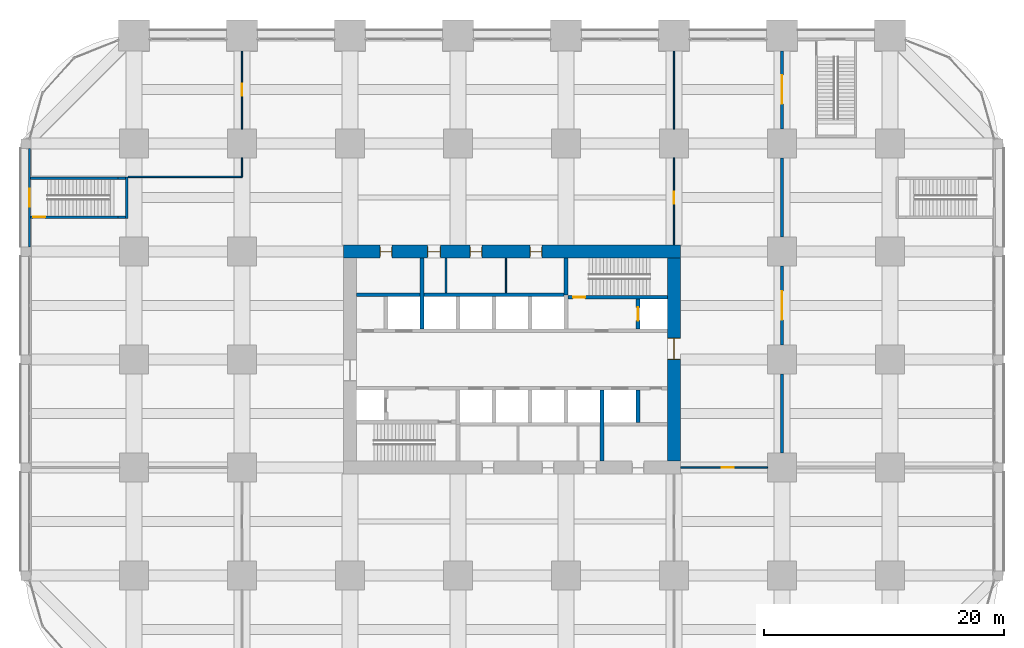
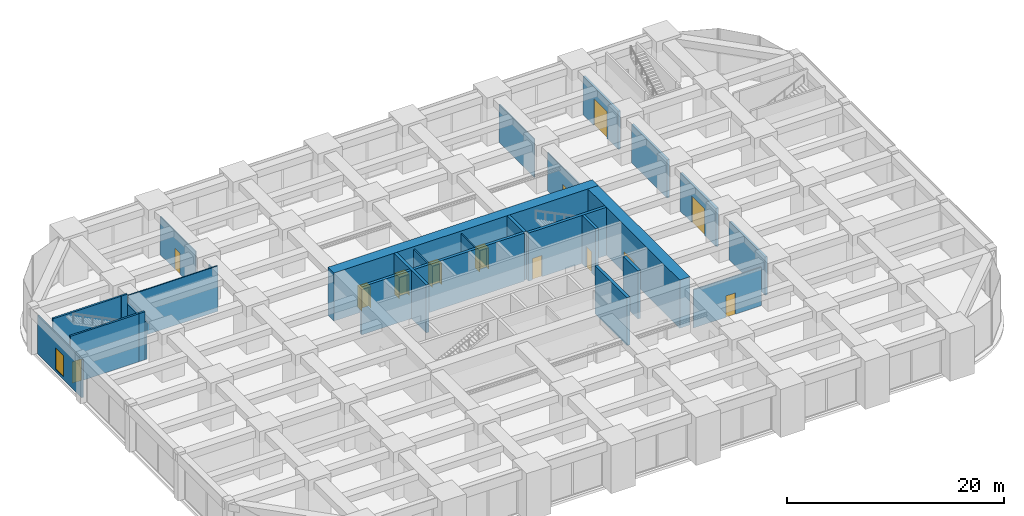
# One storey, part 43 of 45: 27 walls, 13 doors, 1 window, 14 openings.
"""IFC4 building model written with IfcOpenShell, lengths in metres."""

import ifcopenshell
import ifcopenshell.guid

model = None  # the IFC model being written
_history = None  # IfcOwnerHistory: only IFC2X3 demands one
_inside = {}  # id of a spatial element -> (the spatial element, [elements in it])
_under = {}  # id of a project, library or spatial element -> (it, [spatial elements below it])
_declared = {}  # id of a project -> (the project, [libraries it declares])
_typed = {}  # id of a type object -> (the type object, [elements of that type])
_made_of = {}  # id of a material, layer set ... -> (it, [elements and type objects made of it])


def new_model(schema):
    """Start an empty IFC model of exactly this schema.

    Asked for "IFC4X3", IfcOpenShell would pick the latest addendum, in which some entities
    have other attributes; the version numbers below select the first issue.
    IFC2X3 requires an IfcOwnerHistory on every rooted entity: one is made here for all.
    """
    global model, _history
    if schema == "IFC4X3":
        model = ifcopenshell.file(schema_version=(4, 3, 0, 0))
    else:
        model = ifcopenshell.file(schema=schema)
    _inside.clear()
    _under.clear()
    _declared.clear()
    _typed.clear()
    _made_of.clear()
    _history = None
    if model.schema == "IFC2X3":
        org = make("IfcOrganization", Name="unknown")
        user = make(
            "IfcPersonAndOrganization",
            ThePerson=make("IfcPerson", FamilyName="unknown"),
            TheOrganization=org,
        )
        app = make(
            "IfcApplication",
            ApplicationDeveloper=org,
            Version="unknown",
            ApplicationFullName="unknown",
            ApplicationIdentifier="unknown",
        )
        _history = make(
            "IfcOwnerHistory",
            OwningUser=user,
            OwningApplication=app,
            ChangeAction="ADDED",
            CreationDate=0,
        )
    return model


def make(cls, **values):
    """One entity of the class cls with the attributes given. An attribute that is None is left unset."""
    return model.create_entity(
        cls, **{name: value for name, value in values.items() if value is not None}
    )


def rooted(cls, **values):
    """An entity with a GlobalId (a new one), such as an element, a storey or a relation."""
    return make(cls, GlobalId=ifcopenshell.guid.new(), OwnerHistory=_history, **values)


def si_unit(unit_type, name, prefix=None):
    """IfcSIUnit, for example si_unit("LENGTHUNIT", "METRE", prefix="MILLI")."""
    return make("IfcSIUnit", UnitType=unit_type, Prefix=prefix, Name=name)


def assignment(units):
    """IfcUnitAssignment: the units of a project."""
    return None if units is None else make("IfcUnitAssignment", Units=units)


def point(xyz):
    """IfcCartesianPoint."""
    return None if xyz is None else make("IfcCartesianPoint", Coordinates=xyz)


def direction(xyz):
    """IfcDirection."""
    return None if xyz is None else make("IfcDirection", DirectionRatios=xyz)


def frame(location, z_axis=None, x_axis=None):
    """IfcAxis2Placement3D, a coordinate frame: its origin and axes. An axis left out is left unset."""
    return make(
        "IfcAxis2Placement3D",
        Location=point(location),
        Axis=direction(z_axis),
        RefDirection=direction(x_axis),
    )


def frame_2d(location, x_axis=None):
    """IfcAxis2Placement2D, a coordinate frame in the plane: its origin and x axis."""
    return make(
        "IfcAxis2Placement2D", Location=point(location), RefDirection=direction(x_axis)
    )


def origin():
    """The frame at (0, 0, 0) with its axes left unset."""
    return frame((0.0, 0.0, 0.0))


def place(relative_to, where):
    """IfcLocalPlacement: puts the frame where relative to a parent placement (None: the world)."""
    return make(
        "IfcLocalPlacement", PlacementRelTo=relative_to, RelativePlacement=where
    )


def context(
    kind, dimensions, precision=None, world=None, true_north=None, identifier=None
):
    """IfcGeometricRepresentationContext, for example the 3D "Model" context."""
    return make(
        "IfcGeometricRepresentationContext",
        ContextIdentifier=identifier,
        ContextType=kind,
        CoordinateSpaceDimension=dimensions,
        Precision=precision,
        WorldCoordinateSystem=world,
        TrueNorth=true_north,
    )


def subcontext(parent, identifier, kind, view, scale=None):
    """IfcGeometricRepresentationSubContext, for example "Body" below "Model"."""
    return make(
        "IfcGeometricRepresentationSubContext",
        ContextIdentifier=identifier,
        ContextType=kind,
        ParentContext=parent,
        TargetScale=scale,
        TargetView=view,
    )


def project(units=None, contexts=None):
    """IfcProject with its units and contexts."""
    return rooted(
        "IfcProject",
        Name="project",
        RepresentationContexts=contexts,
        UnitsInContext=assignment(units),
    )


def spatial(cls, under=None, at=None, **own):
    """A site, building, storey or space (cls), placed at a placement, below another one or the project."""
    s = rooted(cls, ObjectPlacement=at, **own)
    if under is not None:
        _under.setdefault(under.id(), (under, []))[1].append(s)
    return s


def profile(cls, at=None, kind="AREA", **sizes):
    """A parametric profile (cls). Its sizes go by their IFC names, for example OverallWidth=200.0."""
    return make(cls, ProfileType=kind, Position=at, **sizes)


def rectangle(**sizes):
    """IfcRectangleProfileDef."""
    return profile("IfcRectangleProfileDef", **sizes)


def extrude(swept, where, along, depth):
    """IfcExtrudedAreaSolid: the profile swept, set in the frame where, extruded along a direction by depth."""
    return make(
        "IfcExtrudedAreaSolid",
        SweptArea=swept,
        Position=where,
        ExtrudedDirection=direction(along),
        Depth=depth,
    )


def shape(context_of_items, identifier, shape_type, items):
    """IfcShapeRepresentation: the items that make up one representation, for example the "Body"."""
    return make(
        "IfcShapeRepresentation",
        ContextOfItems=context_of_items,
        RepresentationIdentifier=identifier,
        RepresentationType=shape_type,
        Items=items,
    )


def material(Name=None, Category=None):
    """IfcMaterial."""
    return make("IfcMaterial", Name=Name, Category=Category)


def layer(
    of_material, thickness, ventilated=None, Name=None, Category=None, Priority=None
):
    """IfcMaterialLayer: one layer of a wall or slab, of a material (None: an air gap)."""
    return make(
        "IfcMaterialLayer",
        Material=of_material,
        LayerThickness=thickness,
        IsVentilated=ventilated,
        Name=Name,
        Category=Category,
        Priority=Priority,
    )


def layer_set(layers, Name=None):
    """IfcMaterialLayerSet."""
    return make("IfcMaterialLayerSet", MaterialLayers=layers, LayerSetName=Name)


def made_of(thing, what):
    """Note that an element or type object is made of a material, layer set ...; save() writes the relation."""
    if what is not None:
        _made_of.setdefault(what.id(), (what, []))[1].append(thing)
    return thing


def type_object(cls, material=None, **own):
    """A type object (cls), such as IfcWallType, which elements share."""
    return made_of(rooted(cls, **own), material)


def element(
    cls,
    number,
    at=None,
    inside=None,
    cuts=None,
    type_object=None,
    material=None,
    context=None,
    identifier="Body",
    shape_type=None,
    held_by="IfcProductDefinitionShape",
    body=None,
    shapes=None,
    **own,
):
    """One element of the class cls, such as IfcWall. Its Tag is "e" and its number.

    at: its placement. inside: the storey or other place that contains it. cuts: it is an
    opening in that element (IfcRelVoidsElement). A single representation is given by context,
    identifier, shape_type and body (its items); several are given by shapes. held_by: the class
    of the entity that holds the representations. save() writes the other relations.
    """
    e = rooted(cls, Tag="e%d" % number, ObjectPlacement=at, **own)
    if body is not None:
        shapes = [shape(context, identifier, shape_type, body)]
    if shapes is not None:
        e.Representation = make(held_by, Representations=shapes)
    if inside is not None:
        _inside.setdefault(inside.id(), (inside, []))[1].append(e)
    if cuts is not None:
        rooted(
            "IfcRelVoidsElement", RelatingBuildingElement=cuts, RelatedOpeningElement=e
        )
    if type_object is not None:
        _typed.setdefault(type_object.id(), (type_object, []))[1].append(e)
    return made_of(e, material)


def fill(opening, filler):
    """IfcRelFillsElement: the door or window that sits in an opening."""
    return rooted(
        "IfcRelFillsElement",
        RelatingOpeningElement=opening,
        RelatedBuildingElement=filler,
    )


def aggregate(whole, parts):
    """IfcRelAggregates: a whole, such as a stair, and the parts it consists of."""
    return rooted("IfcRelAggregates", RelatingObject=whole, RelatedObjects=parts)


def save(model, path):
    """Write the relations noted so far, then the file.

    IfcRelAggregates (storeys below a building ...), IfcRelContainedInSpatialStructure (elements
    in a storey), IfcRelDefinesByType, IfcRelAssociatesMaterial and IfcRelDeclares: one each for
    every whole, place, type object, material and project.
    """
    for whole, parts in _under.values():
        aggregate(whole, parts)
    for where, things in _inside.values():
        rooted(
            "IfcRelContainedInSpatialStructure",
            RelatedElements=things,
            RelatingStructure=where,
        )
    for kind, things in _typed.values():
        rooted("IfcRelDefinesByType", RelatedObjects=things, RelatingType=kind)
    for what, things in _made_of.values():
        rooted("IfcRelAssociatesMaterial", RelatedObjects=things, RelatingMaterial=what)
    for by, libraries in _declared.values():
        rooted("IfcRelDeclares", RelatingContext=by, RelatedDefinitions=libraries)
    model.write(path)


model = new_model("IFC4")

# Units and contexts
model_context = context("Model", 3, precision=1e-05, world=origin(), true_north=direction((0.0, 1.0)))
body_context = subcontext(model_context, "Body", "Model", "MODEL_VIEW")
ifc_project = project(units=[si_unit("LENGTHUNIT", "METRE"), si_unit("AREAUNIT", "SQUARE_METRE"), si_unit("VOLUMEUNIT", "CUBIC_METRE"), si_unit("PLANEANGLEUNIT", "RADIAN"), si_unit("MASSUNIT", "GRAM", prefix="KILO")], contexts=[model_context])

# Site, building, storey
site_placement = place(None, origin())
site = spatial("IfcSite", under=ifc_project, at=site_placement, CompositionType="ELEMENT")
building_placement = place(site_placement, origin())
building = spatial("IfcBuilding", under=site, at=building_placement, Name="Zorevar Civic Tower", CompositionType="ELEMENT")
storey_placement = place(building_placement, frame((0.0, 0.0, 5.39990234375)))
storey = spatial("IfcBuildingStorey", under=building, at=storey_placement, Name="L01", CompositionType="ELEMENT", Elevation=5.39990234375)

# Wall
ifc_material_1 = material(Name="Twin-stud acoustic wall, gypsum board")
ifc_layer_1 = layer(ifc_material_1, 0.25)
ifc_layer_set_1 = layer_set([ifc_layer_1], Name="Acoustic wall 250")
wall_type_1 = type_object("IfcWallType", Name="Acoustic wall 250", PredefinedType="PARTITIONING", material=ifc_layer_set_1)
wall_1_placement = place(storey_placement, frame((54.0, 19.199951171875, 0.0), z_axis=(0.0, 0.0, 1.0), x_axis=(0.0, 1.0, 0.0)))
element("IfcWall", 1, at=wall_1_placement, inside=storey, type_object=wall_type_1, Name="Acoustic wall 250 L01", PredefinedType="PARTITIONING", context=body_context, shape_type="SweptSolid", body=[
    extrude(rectangle(XDim=6.60009765625, YDim=0.25, at=frame_2d((3.300048828125, 0.0))), origin(), (0.0, 0.0, 1.0), 4.300048828125),
])

# Wall, opening, door
wall_2_placement = place(storey_placement, frame((54.0, 28.199951171875, 0.0), z_axis=(0.0, 0.0, 1.0), x_axis=(0.0, 1.0, 0.0)))
wall_2 = element("IfcWall", 2, at=wall_2_placement, inside=storey, type_object=wall_type_1, Name="Acoustic wall 250 L01", PredefinedType="PARTITIONING", context=body_context, shape_type="SweptSolid", body=[
    extrude(rectangle(XDim=6.60009765625, YDim=0.25, at=frame_2d((3.300048828125, 0.0))), origin(), (0.0, 0.0, 1.0), 4.300048828125),
])
opening_1_placement = place(wall_2_placement, frame((2.10009765625, 0.0, 0.0)))
opening_1 = element("IfcOpeningElement", 3, at=opening_1_placement, cuts=wall_2, Name="Opening L01.17", PredefinedType="OPENING", context=body_context, shape_type="SweptSolid", body=[
    extrude(rectangle(XDim=2.39990234375, YDim=3.0, at=frame_2d((1.199951171875, 1.5))), frame((0.0, 0.135009765625, 0.0), z_axis=(0.0, -1.0, 0.0), x_axis=(1.0, 0.0, 0.0)), (0.0, 0.0, 1.0), 0.27001953125),
])
ifc_material_2 = material(Name="Timber door set", Category="wood")
door_type_1 = type_object("IfcDoorType", Name="Council chamber door D6 2400x3000", OperationType="DOUBLE_DOOR_DOUBLE_SWING", PredefinedType="DOOR", material=ifc_material_2)
door_1_placement = place(opening_1_placement, origin())
door_1 = element("IfcDoor", 4, at=door_1_placement, inside=storey, type_object=door_type_1, Name="Door L01 D1", OperationType="DOUBLE_DOOR_DOUBLE_SWING", OverallHeight=3.0, OverallWidth=2.39990234375, PredefinedType="DOOR", context=body_context, shape_type="SweptSolid", body=[
    extrude(rectangle(XDim=2.39990234375, YDim=3.0, at=frame_2d((1.199951171875, 1.5))), frame((0.0, 0.030029296875, 0.0), z_axis=(0.0, -1.0, 0.0), x_axis=(1.0, 0.0, 0.0)), (0.0, 0.0, 1.0), 0.06005859375),
])
fill(opening_1, door_1)

# Wall
wall_3_placement = place(storey_placement, frame((54.0, 37.199951171875, 0.0), z_axis=(0.0, 0.0, 1.0), x_axis=(0.0, 1.0, 0.0)))
element("IfcWall", 5, at=wall_3_placement, inside=storey, type_object=wall_type_1, Name="Acoustic wall 250 L01", PredefinedType="PARTITIONING", context=body_context, shape_type="SweptSolid", body=[
    extrude(rectangle(XDim=6.60009765625, YDim=0.25, at=frame_2d((3.300048828125, 0.0))), origin(), (0.0, 0.0, 1.0), 4.300048828125),
])

# Wall, opening, door
wall_4_placement = place(storey_placement, frame((54.0, 46.199951171875, 0.0), z_axis=(0.0, 0.0, 1.0), x_axis=(0.0, 1.0, 0.0)))
wall_4 = element("IfcWall", 6, at=wall_4_placement, inside=storey, type_object=wall_type_1, Name="Acoustic wall 250 L01", PredefinedType="PARTITIONING", context=body_context, shape_type="SweptSolid", body=[
    extrude(rectangle(XDim=6.5, YDim=0.25, at=frame_2d((3.25, 0.0))), origin(), (0.0, 0.0, 1.0), 4.300048828125),
])
opening_2_placement = place(wall_4_placement, frame((2.10009765625, 0.0, 0.0)))
opening_2 = element("IfcOpeningElement", 7, at=opening_2_placement, cuts=wall_4, Name="Opening L01.18", PredefinedType="OPENING", context=body_context, shape_type="SweptSolid", body=[
    extrude(rectangle(XDim=2.39990234375, YDim=3.0, at=frame_2d((1.199951171875, 1.5))), frame((0.0, 0.135009765625, 0.0), z_axis=(0.0, -1.0, 0.0), x_axis=(1.0, 0.0, 0.0)), (0.0, 0.0, 1.0), 0.27001953125),
])
door_2_placement = place(opening_2_placement, origin())
door_2 = element("IfcDoor", 8, at=door_2_placement, inside=storey, type_object=door_type_1, Name="Door L01 D2", OperationType="DOUBLE_DOOR_DOUBLE_SWING", OverallHeight=3.0, OverallWidth=2.39990234375, PredefinedType="DOOR", context=body_context, shape_type="SweptSolid", body=[
    extrude(rectangle(XDim=2.39990234375, YDim=3.0, at=frame_2d((1.199951171875, 1.5))), frame((0.0, 0.030029296875, 0.0), z_axis=(0.0, -1.0, 0.0), x_axis=(1.0, 0.0, 0.0)), (0.0, 0.0, 1.0), 0.06005859375),
])
fill(opening_2, door_2)

# Walls
ifc_material_3 = material(Name="Concrete blockwork", Category="masonry")
ifc_layer_2 = layer(ifc_material_3, 0.199951171875)
ifc_layer_set_2 = layer_set([ifc_layer_2], Name="Blockwork wall 200")
wall_type_2 = type_object("IfcWallType", Name="Blockwork wall 200", PredefinedType="SOLIDWALL", material=ifc_layer_set_2)
for number, where, z_axis, x_axis, name in (
    (9, (-1.35009765625, 38.875, 0.0), (0.0, 0.0, 1.0), (1.0, 0.0, 0.0), "Escape stair PS1 enclosure L01"),
    (10, (-1.35009765625, 42.125, 0.0), (0.0, 0.0, 1.0), (1.0, 0.0, 0.0), "Escape stair PS1 enclosure L01"),
):
    element("IfcWall", number, at=place(storey_placement, frame(where, z_axis=z_axis, x_axis=x_axis)), inside=storey, type_object=wall_type_2, Name=name, PredefinedType="SOLIDWALL", context=body_context, shape_type="SweptSolid", body=[
        extrude(rectangle(XDim=0.650146484375, YDim=0.199951171875, at=frame_2d((0.3251953125, 0.0))), origin(), (0.0, 0.0, 1.0), 5.400146484375),
    ])
wall_5_placement = place(storey_placement, frame((-0.60009765625, 38.77490234375, 0.0), z_axis=(0.0, 0.0, 1.0), x_axis=(0.0, 1.0, 0.0)))
element("IfcWall", 11, at=wall_5_placement, inside=storey, type_object=wall_type_2, Name="Escape stair PS1 enclosure L01", PredefinedType="SOLIDWALL", context=body_context, shape_type="SweptSolid", body=[
    extrude(rectangle(XDim=3.4501953125, YDim=0.199951171875, at=frame_2d((1.72509765625, 0.0))), origin(), (0.0, 0.0, 1.0), 4.300048828125),
])

# Wall, openings, doors
ifc_material_4 = material(Name="Concrete C50/60", Category="concrete")
ifc_layer_3 = layer(ifc_material_4, 1.10009765625)
ifc_layer_set_3 = layer_set([ifc_layer_3], Name="Core wall 1100")
wall_type_3 = type_object("IfcWallType", Name="Core wall 1100", PredefinedType="SHEAR", material=ifc_layer_set_3)
wall_6_placement = place(storey_placement, frame((45.550048828125, 36.0, 0.0), z_axis=(0.0, 0.0, 1.0), x_axis=(-1.0, 0.0, 0.0)))
wall_6 = element("IfcWall", 12, at=wall_6_placement, inside=storey, type_object=wall_type_3, Name="Core wall N L01", PredefinedType="SHEAR", context=body_context, shape_type="SweptSolid", body=[
    extrude(rectangle(XDim=28.10009765625, YDim=1.10009765625, at=frame_2d((14.050048828125, 0.0))), origin(), (0.0, 0.0, 1.0), 5.400146484375),
])
opening_3_placement = place(wall_6_placement, frame((11.550048828125, 0.0, 0.0)))
opening_3 = element("IfcOpeningElement", 13, at=opening_3_placement, cuts=wall_6, Name="Opening L01.07", PredefinedType="OPENING", context=body_context, shape_type="SweptSolid", body=[
    extrude(rectangle(XDim=1.0, YDim=2.39990234375, at=frame_2d((0.5, 1.199951171875))), frame((0.0, 0.56005859375, 0.0), z_axis=(0.0, -1.0, 0.0), x_axis=(1.0, 0.0, 0.0)), (0.0, 0.0, 1.0), 1.1201171875),
])
opening_4_placement = place(wall_6_placement, frame((16.550048828125, 0.0, 0.0)))
opening_4 = element("IfcOpeningElement", 14, at=opening_4_placement, cuts=wall_6, Name="Opening L01.08", PredefinedType="OPENING", context=body_context, shape_type="SweptSolid", body=[
    extrude(rectangle(XDim=1.0, YDim=2.39990234375, at=frame_2d((0.5, 1.199951171875))), frame((0.0, 0.56005859375, 0.0), z_axis=(0.0, -1.0, 0.0), x_axis=(1.0, 0.0, 0.0)), (0.0, 0.0, 1.0), 1.1201171875),
])
opening_5_placement = place(wall_6_placement, frame((20.0, 0.0, 0.0)))
opening_5 = element("IfcOpeningElement", 15, at=opening_5_placement, cuts=wall_6, Name="Opening L01.09", PredefinedType="OPENING", context=body_context, shape_type="SweptSolid", body=[
    extrude(rectangle(XDim=1.10009765625, YDim=2.39990234375, at=frame_2d((0.550048828125, 1.199951171875))), frame((0.0, 0.56005859375, 0.0), z_axis=(0.0, -1.0, 0.0), x_axis=(1.0, 0.0, 0.0)), (0.0, 0.0, 1.0), 1.1201171875),
])
opening_6_placement = place(wall_6_placement, frame((24.050048828125, 0.0, 0.0)))
opening_6 = element("IfcOpeningElement", 16, at=opening_6_placement, cuts=wall_6, Name="Opening L01.10", PredefinedType="OPENING", context=body_context, shape_type="SweptSolid", body=[
    extrude(rectangle(XDim=1.0, YDim=2.39990234375, at=frame_2d((0.5, 1.199951171875))), frame((0.0, 0.56005859375, 0.0), z_axis=(0.0, -1.0, 0.0), x_axis=(1.0, 0.0, 0.0)), (0.0, 0.0, 1.0), 1.1201171875),
])
ifc_material_5 = material(Name="Timber door set", Category="wood")
door_type_2 = type_object("IfcDoorType", Name="Door D1 1000x2400", OperationType="SINGLE_SWING_LEFT", PredefinedType="DOOR", material=ifc_material_5)
door_3_placement = place(opening_3_placement, origin())
door_3 = element("IfcDoor", 17, at=door_3_placement, inside=storey, type_object=door_type_2, Name="Door L01 06", OperationType="SINGLE_SWING_LEFT", OverallHeight=2.39990234375, OverallWidth=1.0, PredefinedType="DOOR", context=body_context, shape_type="SweptSolid", body=[
    extrude(rectangle(XDim=1.0, YDim=2.39990234375, at=frame_2d((0.5, 1.199951171875))), frame((0.0, 0.02490234375, 0.0), z_axis=(0.0, -1.0, 0.0), x_axis=(1.0, 0.0, 0.0)), (0.0, 0.0, 1.0), 0.050048828125),
    extrude(rectangle(XDim=0.04, YDim=2.39990234375, at=frame_2d((0.02001953125, 1.199951171875))), frame((0.0, 0.39990234375, 0.0), z_axis=(0.0, -1.0, 0.0), x_axis=(1.0, 0.0, 0.0)), (0.0, 0.0, 1.0), 0.800048828125),
    extrude(rectangle(XDim=0.04, YDim=2.39990234375, at=frame_2d((0.97998046875, 1.199951171875))), frame((0.0, 0.39990234375, 0.0), z_axis=(0.0, -1.0, 0.0), x_axis=(1.0, 0.0, 0.0)), (0.0, 0.0, 1.0), 0.800048828125),
    extrude(rectangle(XDim=1.0, YDim=0.04, at=frame_2d((0.5, 2.3798828125))), frame((0.0, 0.39990234375, 0.0), z_axis=(0.0, -1.0, 0.0), x_axis=(1.0, 0.0, 0.0)), (0.0, 0.0, 1.0), 0.800048828125),
])
fill(opening_3, door_3)
door_4_placement = place(opening_4_placement, origin())
door_4 = element("IfcDoor", 18, at=door_4_placement, inside=storey, type_object=door_type_2, Name="Door L01 07", OperationType="SINGLE_SWING_RIGHT", OverallHeight=2.39990234375, OverallWidth=1.0, PredefinedType="DOOR", context=body_context, shape_type="SweptSolid", body=[
    extrude(rectangle(XDim=1.0, YDim=2.39990234375, at=frame_2d((0.5, 1.199951171875))), frame((0.0, 0.02490234375, 0.0), z_axis=(0.0, -1.0, 0.0), x_axis=(1.0, 0.0, 0.0)), (0.0, 0.0, 1.0), 0.050048828125),
    extrude(rectangle(XDim=0.04, YDim=2.39990234375, at=frame_2d((0.02001953125, 1.199951171875))), frame((0.0, 0.39990234375, 0.0), z_axis=(0.0, -1.0, 0.0), x_axis=(1.0, 0.0, 0.0)), (0.0, 0.0, 1.0), 0.800048828125),
    extrude(rectangle(XDim=0.04, YDim=2.39990234375, at=frame_2d((0.97998046875, 1.199951171875))), frame((0.0, 0.39990234375, 0.0), z_axis=(0.0, -1.0, 0.0), x_axis=(1.0, 0.0, 0.0)), (0.0, 0.0, 1.0), 0.800048828125),
    extrude(rectangle(XDim=1.0, YDim=0.04, at=frame_2d((0.5, 2.3798828125))), frame((0.0, 0.39990234375, 0.0), z_axis=(0.0, -1.0, 0.0), x_axis=(1.0, 0.0, 0.0)), (0.0, 0.0, 1.0), 0.800048828125),
])
fill(opening_4, door_4)
door_5_placement = place(opening_6_placement, origin())
door_5 = element("IfcDoor", 19, at=door_5_placement, inside=storey, type_object=door_type_2, Name="Door L01 09", OperationType="SINGLE_SWING_RIGHT", OverallHeight=2.39990234375, OverallWidth=1.0, PredefinedType="DOOR", context=body_context, shape_type="SweptSolid", body=[
    extrude(rectangle(XDim=1.0, YDim=2.39990234375, at=frame_2d((0.5, 1.199951171875))), frame((0.0, 0.02490234375, 0.0), z_axis=(0.0, -1.0, 0.0), x_axis=(1.0, 0.0, 0.0)), (0.0, 0.0, 1.0), 0.050048828125),
    extrude(rectangle(XDim=0.04, YDim=2.39990234375, at=frame_2d((0.02001953125, 1.199951171875))), frame((0.0, 0.39990234375, 0.0), z_axis=(0.0, -1.0, 0.0), x_axis=(1.0, 0.0, 0.0)), (0.0, 0.0, 1.0), 0.800048828125),
    extrude(rectangle(XDim=0.04, YDim=2.39990234375, at=frame_2d((0.97998046875, 1.199951171875))), frame((0.0, 0.39990234375, 0.0), z_axis=(0.0, -1.0, 0.0), x_axis=(1.0, 0.0, 0.0)), (0.0, 0.0, 1.0), 0.800048828125),
    extrude(rectangle(XDim=1.0, YDim=0.04, at=frame_2d((0.5, 2.3798828125))), frame((0.0, 0.39990234375, 0.0), z_axis=(0.0, -1.0, 0.0), x_axis=(1.0, 0.0, 0.0)), (0.0, 0.0, 1.0), 0.800048828125),
])
fill(opening_6, door_5)
ifc_material_6 = material(Name="Timber door set", Category="wood")
door_type_3 = type_object("IfcDoorType", Name="Door D5 1100x2400", OperationType="SINGLE_SWING_LEFT", PredefinedType="DOOR", material=ifc_material_6)
door_6_placement = place(opening_5_placement, origin())
door_6 = element("IfcDoor", 20, at=door_6_placement, inside=storey, type_object=door_type_3, Name="Door L01 08", OperationType="SINGLE_SWING_RIGHT", OverallHeight=2.39990234375, OverallWidth=1.10009765625, PredefinedType="DOOR", context=body_context, shape_type="SweptSolid", body=[
    extrude(rectangle(XDim=1.10009765625, YDim=2.39990234375, at=frame_2d((0.550048828125, 1.199951171875))), frame((0.0, 0.02490234375, 0.0), z_axis=(0.0, -1.0, 0.0), x_axis=(1.0, 0.0, 0.0)), (0.0, 0.0, 1.0), 0.050048828125),
    extrude(rectangle(XDim=0.04, YDim=2.39990234375, at=frame_2d((0.02001953125, 1.199951171875))), frame((0.0, 0.43994140625, 0.0), z_axis=(0.0, -1.0, 0.0), x_axis=(1.0, 0.0, 0.0)), (0.0, 0.0, 1.0), 0.880126953125),
    extrude(rectangle(XDim=0.04, YDim=2.39990234375, at=frame_2d((1.080078125, 1.199951171875))), frame((0.0, 0.43994140625, 0.0), z_axis=(0.0, -1.0, 0.0), x_axis=(1.0, 0.0, 0.0)), (0.0, 0.0, 1.0), 0.880126953125),
    extrude(rectangle(XDim=1.10009765625, YDim=0.04, at=frame_2d((0.550048828125, 2.3798828125))), frame((0.0, 0.43994140625, 0.0), z_axis=(0.0, -1.0, 0.0), x_axis=(1.0, 0.0, 0.0)), (0.0, 0.0, 1.0), 0.880126953125),
])
fill(opening_5, door_6)

# Wall, opening, door
wall_7_placement = place(storey_placement, frame((45.0, 18.550048828125, 0.0), z_axis=(0.0, 0.0, 1.0), x_axis=(0.0, 1.0, 0.0)))
wall_7 = element("IfcWall", 21, at=wall_7_placement, inside=storey, type_object=wall_type_3, Name="Core wall E L01", PredefinedType="SHEAR", context=body_context, shape_type="SweptSolid", body=[
    extrude(rectangle(XDim=16.89990234375, YDim=1.10009765625, at=frame_2d((8.449951171875, 0.0))), origin(), (0.0, 0.0, 1.0), 5.400146484375),
])
opening_7_placement = place(wall_7_placement, frame((8.449951171875, 0.0, 0.0)))
opening_7 = element("IfcOpeningElement", 22, at=opening_7_placement, cuts=wall_7, Name="Opening L01.02", PredefinedType="OPENING", context=body_context, shape_type="SweptSolid", body=[
    extrude(rectangle(XDim=1.800048828125, YDim=2.39990234375, at=frame_2d((0.89990234375, 1.199951171875))), frame((0.0, 0.56005859375, 0.0), z_axis=(0.0, -1.0, 0.0), x_axis=(1.0, 0.0, 0.0)), (0.0, 0.0, 1.0), 1.1201171875),
])
ifc_material_7 = material(Name="Steel door set", Category="steel")
door_type_4 = type_object("IfcDoorType", Name="Fire door FD2 1800x2400", OperationType="DOUBLE_DOOR_DOUBLE_SWING", PredefinedType="DOOR", material=ifc_material_7)
door_7_placement = place(opening_7_placement, origin())
door_7 = element("IfcDoor", 23, at=door_7_placement, inside=storey, type_object=door_type_4, Name="Door L01 01", OperationType="DOUBLE_DOOR_DOUBLE_SWING", OverallHeight=2.39990234375, OverallWidth=1.800048828125, PredefinedType="DOOR", context=body_context, shape_type="SweptSolid", body=[
    extrude(rectangle(XDim=1.800048828125, YDim=2.39990234375, at=frame_2d((0.89990234375, 1.199951171875))), frame((0.0, 0.030029296875, 0.0), z_axis=(0.0, -1.0, 0.0), x_axis=(1.0, 0.0, 0.0)), (0.0, 0.0, 1.0), 0.06005859375),
    extrude(rectangle(XDim=0.04, YDim=2.39990234375, at=frame_2d((0.02001953125, 1.199951171875))), frame((0.0, 0.5498046875, 0.0), z_axis=(0.0, -1.0, 0.0), x_axis=(1.0, 0.0, 0.0)), (0.0, 0.0, 1.0), 1.099609375),
    extrude(rectangle(XDim=0.04, YDim=2.39990234375, at=frame_2d((1.780029296875, 1.199951171875))), frame((0.0, 0.5498046875, 0.0), z_axis=(0.0, -1.0, 0.0), x_axis=(1.0, 0.0, 0.0)), (0.0, 0.0, 1.0), 1.099609375),
    extrude(rectangle(XDim=1.800048828125, YDim=0.04, at=frame_2d((0.89990234375, 2.3798828125))), frame((0.0, 0.5498046875, 0.0), z_axis=(0.0, -1.0, 0.0), x_axis=(1.0, 0.0, 0.0)), (0.0, 0.0, 1.0), 1.099609375),
])
fill(opening_7, door_7)

ifc_material_8 = material(Name="Laminated glass in black aluminium frame", Category="aluminium")
ifc_layer_4 = layer(ifc_material_8, 0.10009765625)
ifc_layer_set_4 = layer_set([ifc_layer_4], Name="Glazed partition 100")
wall_type_4 = type_object("IfcWallType", Name="Glazed partition 100", PredefinedType="PARTITIONING", material=ifc_layer_set_4)
wall_8_placement = place(storey_placement, frame((45.0, 36.550048828125, 0.0), z_axis=(0.0, 0.0, 1.0), x_axis=(0.0, 1.0, 0.0)))
wall_8 = element("IfcWall", 24, at=wall_8_placement, inside=storey, type_object=wall_type_4, Name="Glazed partition 100 L01", PredefinedType="PARTITIONING", context=body_context, shape_type="SweptSolid", body=[
    extrude(rectangle(XDim=7.25, YDim=0.10009765625, at=frame_2d((3.625, 0.0))), origin(), (0.0, 0.0, 1.0), 4.300048828125),
])
opening_8_placement = place(wall_8_placement, frame((3.449951171875, 0.0, 0.0)))
opening_8 = element("IfcOpeningElement", 25, at=opening_8_placement, cuts=wall_8, Name="Opening L01.20", PredefinedType="OPENING", context=body_context, shape_type="SweptSolid", body=[
    extrude(rectangle(XDim=1.0, YDim=2.39990234375, at=frame_2d((0.5, 1.199951171875))), frame((0.0, 0.06005859375, 0.0), z_axis=(0.0, -1.0, 0.0), x_axis=(1.0, 0.0, 0.0)), (0.0, 0.0, 1.0), 0.1201171875),
])
ifc_material_9 = material(Name="Timber door set", Category="wood")
door_type_5 = type_object("IfcDoorType", Name="Glazed door GD1 1000x2400", OperationType="SINGLE_SWING_LEFT", PredefinedType="DOOR", material=ifc_material_9)
door_8_placement = place(opening_8_placement, origin())
door_8 = element("IfcDoor", 26, at=door_8_placement, inside=storey, type_object=door_type_5, Name="Door L01 D6", OperationType="SINGLE_SWING_LEFT", OverallHeight=2.39990234375, OverallWidth=1.0, PredefinedType="DOOR", context=body_context, shape_type="SweptSolid", body=[
    extrude(rectangle(XDim=1.0, YDim=2.39990234375, at=frame_2d((0.5, 1.199951171875))), frame((0.0, 0.02001953125, 0.0), z_axis=(0.0, -1.0, 0.0), x_axis=(1.0, 0.0, 0.0)), (0.0, 0.0, 1.0), 0.0400390625),
])
fill(opening_8, door_8)

# Wall
wall_9_placement = place(storey_placement, frame((45.0, 46.199951171875, 0.0), z_axis=(0.0, 0.0, 1.0), x_axis=(0.0, 1.0, 0.0)))
element("IfcWall", 27, at=wall_9_placement, inside=storey, type_object=wall_type_4, Name="Glazed partition 100 L01", PredefinedType="PARTITIONING", context=body_context, shape_type="SweptSolid", body=[
    extrude(rectangle(XDim=6.5, YDim=0.10009765625, at=frame_2d((3.25, 0.0))), origin(), (0.0, 0.0, 1.0), 4.300048828125),
])

# Wall, opening, door
ifc_material_10 = material(Name="Concrete C40/50", Category="concrete")
ifc_layer_5 = layer(ifc_material_10, 0.300048828125)
ifc_layer_set_5 = layer_set([ifc_layer_5], Name="Inner core wall 300")
wall_type_5 = type_object("IfcWallType", Name="Inner core wall 300", PredefinedType="SHEAR", material=ifc_layer_set_5)
wall_10_placement = place(storey_placement, frame((36.14990234375, 32.199951171875, 0.0), z_axis=(0.0, 0.0, 1.0), x_axis=(1.0, 0.0, 0.0)))
wall_10 = element("IfcWall", 28, at=wall_10_placement, inside=storey, type_object=wall_type_5, Name="Inner core wall N00 L01", PredefinedType="SHEAR", context=body_context, shape_type="SweptSolid", body=[
    extrude(rectangle(XDim=8.300048828125, YDim=0.300048828125, at=frame_2d((4.14990234375, 0.0))), origin(), (0.0, 0.0, 1.0), 5.400146484375),
])
opening_9_placement = place(wall_10_placement, frame((0.449951171875, 0.0, 0.0)))
opening_9 = element("IfcOpeningElement", 29, at=opening_9_placement, cuts=wall_10, Name="Opening L01.12", PredefinedType="OPENING", context=body_context, shape_type="SweptSolid", body=[
    extrude(rectangle(XDim=1.0, YDim=2.39990234375, at=frame_2d((0.5, 1.199951171875))), frame((0.0, 0.159912109375, 0.0), z_axis=(0.0, -1.0, 0.0), x_axis=(1.0, 0.0, 0.0)), (0.0, 0.0, 1.0), 0.320068359375),
])
ifc_material_11 = material(Name="Steel door set", Category="steel")
door_type_6 = type_object("IfcDoorType", Name="Fire door FD1 1000x2400", OperationType="SINGLE_SWING_LEFT", PredefinedType="DOOR", material=ifc_material_11)
door_9_placement = place(opening_9_placement, origin())
door_9 = element("IfcDoor", 30, at=door_9_placement, inside=storey, type_object=door_type_6, Name="Door L01 11", OperationType="SINGLE_SWING_RIGHT", OverallHeight=2.39990234375, OverallWidth=1.0, PredefinedType="DOOR", context=body_context, shape_type="SweptSolid", body=[
    extrude(rectangle(XDim=1.0, YDim=2.39990234375, at=frame_2d((0.5, 1.199951171875))), frame((0.0, 0.030029296875, 0.0), z_axis=(0.0, -1.0, 0.0), x_axis=(1.0, 0.0, 0.0)), (0.0, 0.0, 1.0), 0.06005859375),
])
fill(opening_9, door_9)

# Wall
wall_11_placement = place(storey_placement, frame((36.0, 32.39990234375, 0.0), z_axis=(0.0, 0.0, 1.0), x_axis=(0.0, 1.0, 0.0)))
element("IfcWall", 31, at=wall_11_placement, inside=storey, type_object=wall_type_5, Name="Inner core wall N01 L01", PredefinedType="SHEAR", context=body_context, shape_type="SweptSolid", body=[
    extrude(rectangle(XDim=3.050048828125, YDim=0.300048828125, at=frame_2d((1.52490234375, 0.0))), origin(), (0.0, 0.0, 1.0), 5.400146484375),
])

# Wall, opening, door
wall_12_placement = place(storey_placement, frame((42.0, 29.550048828125, 0.0), z_axis=(0.0, 0.0, 1.0), x_axis=(0.0, 1.0, 0.0)))
wall_12 = element("IfcWall", 32, at=wall_12_placement, inside=storey, type_object=wall_type_5, Name="Inner core wall N02 L01", PredefinedType="SHEAR", context=body_context, shape_type="SweptSolid", body=[
    extrude(rectangle(XDim=2.5, YDim=0.300048828125, at=frame_2d((1.25, 0.0))), origin(), (0.0, 0.0, 1.0), 5.400146484375),
])
opening_10_placement = place(wall_12_placement, frame((0.699951171875, 0.0, 0.0)))
opening_10 = element("IfcOpeningElement", 33, at=opening_10_placement, cuts=wall_12, Name="Opening L01.FL2", PredefinedType="OPENING", context=body_context, shape_type="SweptSolid", body=[
    extrude(rectangle(XDim=1.10009765625, YDim=2.39990234375, at=frame_2d((0.550048828125, 1.199951171875))), frame((0.0, 0.159912109375, 0.0), z_axis=(0.0, -1.0, 0.0), x_axis=(1.0, 0.0, 0.0)), (0.0, 0.0, 1.0), 0.320068359375),
])
ifc_material_12 = material(Name="Steel door set", Category="steel")
door_type_7 = type_object("IfcDoorType", Name="Firefighting lift landing door LD3 1100x2400", OperationType="DOUBLE_DOOR_SLIDING", PredefinedType="DOOR", material=ifc_material_12)
door_10_placement = place(opening_10_placement, origin())
door_10 = element("IfcDoor", 34, at=door_10_placement, inside=storey, type_object=door_type_7, Name="Landing door FL2 L01", OperationType="DOUBLE_DOOR_SLIDING", OverallHeight=2.39990234375, OverallWidth=1.10009765625, PredefinedType="DOOR", context=body_context, shape_type="SweptSolid", body=[
    extrude(rectangle(XDim=1.10009765625, YDim=2.39990234375, at=frame_2d((0.550048828125, 1.199951171875))), frame((0.0, 0.030029296875, 0.0), z_axis=(0.0, -1.0, 0.0), x_axis=(1.0, 0.0, 0.0)), (0.0, 0.0, 1.0), 0.06005859375),
])
fill(opening_10, door_10)

# Walls
wall_13_placement = place(storey_placement, frame((18.550048828125, 32.39990234375, 0.0), z_axis=(0.0, 0.0, 1.0), x_axis=(1.0, 0.0, 0.0)))
element("IfcWall", 35, at=wall_13_placement, inside=storey, type_object=wall_type_5, Name="Inner core wall N04 L01", PredefinedType="SHEAR", context=body_context, shape_type="SweptSolid", body=[
    extrude(rectangle(XDim=17.300048828125, YDim=0.300048828125, at=frame_2d((8.64990234375, 0.0))), origin(), (0.0, 0.0, 1.0), 5.400146484375),
])
for number, where, z_axis, x_axis, name in (
    (36, (39.0, 18.550048828125, 0.0), (0.0, 0.0, 1.0), (0.0, 1.0, 0.0), "Inner core wall S08 L01"),
    (37, (24.0, 29.550048828125, 0.0), (0.0, 0.0, 1.0), (0.0, 1.0, 0.0), "Inner core wall N08 L01"),
):
    element("IfcWall", number, at=place(storey_placement, frame(where, z_axis=z_axis, x_axis=x_axis)), inside=storey, type_object=wall_type_5, Name=name, PredefinedType="SHEAR", context=body_context, shape_type="SweptSolid", body=[
        extrude(rectangle(XDim=5.89990234375, YDim=0.300048828125, at=frame_2d((2.949951171875, 0.0))), origin(), (0.0, 0.0, 1.0), 5.400146484375),
    ])
wall_14_placement = place(storey_placement, frame((42.0, 21.75, 0.0), z_axis=(0.0, 0.0, 1.0), x_axis=(0.0, 1.0, 0.0)))
element("IfcWall", 38, at=wall_14_placement, inside=storey, type_object=wall_type_5, Name="Inner core wall S09 L01", PredefinedType="SHEAR", context=body_context, shape_type="SweptSolid", body=[
    extrude(rectangle(XDim=2.699951171875, YDim=0.300048828125, at=frame_2d((1.35009765625, 0.0))), origin(), (0.0, 0.0, 1.0), 5.400146484375),
])

# Wall, opening, door
ifc_material_13 = material(Name="Gypsum board on steel studs", Category="steel")
ifc_layer_6 = layer(ifc_material_13, 0.1201171875)
ifc_layer_set_6 = layer_set([ifc_layer_6], Name="Partition 120")
wall_type_6 = type_object("IfcWallType", Name="Partition 120", PredefinedType="PARTITIONING", material=ifc_layer_set_6)
wall_15_placement = place(storey_placement, frame((45.550048828125, 18.0, 0.0), z_axis=(0.0, 0.0, 1.0), x_axis=(1.0, 0.0, 0.0)))
wall_15 = element("IfcWall", 39, at=wall_15_placement, inside=storey, type_object=wall_type_6, Name="Partition 120 L01", PredefinedType="PARTITIONING", context=body_context, shape_type="SweptSolid", body=[
    extrude(rectangle(XDim=7.25, YDim=0.1201171875, at=frame_2d((3.625, 0.0))), origin(), (0.0, 0.0, 1.0), 4.300048828125),
])
opening_11_placement = place(wall_15_placement, frame((3.449951171875, 0.0, 0.0)))
opening_11 = element("IfcOpeningElement", 40, at=opening_11_placement, cuts=wall_15, Name="Opening L01.21", PredefinedType="OPENING", context=body_context, shape_type="SweptSolid", body=[
    extrude(rectangle(XDim=1.0, YDim=2.39990234375, at=frame_2d((0.5, 1.199951171875))), frame((0.0, 0.070068359375, 0.0), z_axis=(0.0, -1.0, 0.0), x_axis=(1.0, 0.0, 0.0)), (0.0, 0.0, 1.0), 0.14013671875),
])
door_11_placement = place(opening_11_placement, origin())
door_11 = element("IfcDoor", 41, at=door_11_placement, inside=storey, type_object=door_type_2, Name="Door L01 D7", OperationType="SINGLE_SWING_RIGHT", OverallHeight=2.39990234375, OverallWidth=1.0, PredefinedType="DOOR", context=body_context, shape_type="SweptSolid", body=[
    extrude(rectangle(XDim=1.0, YDim=2.39990234375, at=frame_2d((0.5, 1.199951171875))), frame((0.0, 0.02490234375, 0.0), z_axis=(0.0, -1.0, 0.0), x_axis=(1.0, 0.0, 0.0)), (0.0, 0.0, 1.0), 0.050048828125),
])
fill(opening_11, door_11)

# Wall
wall_16_placement = place(storey_placement, frame((9.0, 42.22509765625, 0.0), z_axis=(0.0, 0.0, 1.0), x_axis=(0.0, 1.0, 0.0)))
element("IfcWall", 42, at=wall_16_placement, inside=storey, type_object=wall_type_6, Name="Partition 120 L01", PredefinedType="PARTITIONING", context=body_context, shape_type="SweptSolid", body=[
    extrude(rectangle(XDim=1.574951171875, YDim=0.1201171875, at=frame_2d((0.78759765625, 0.0))), origin(), (0.0, 0.0, 1.0), 4.300048828125),
])

# Wall, opening, door
wall_17_placement = place(storey_placement, frame((9.0, 46.199951171875, 0.0), z_axis=(0.0, 0.0, 1.0), x_axis=(0.0, 1.0, 0.0)))
wall_17 = element("IfcWall", 43, at=wall_17_placement, inside=storey, type_object=wall_type_6, Name="Partition 120 L01", PredefinedType="PARTITIONING", context=body_context, shape_type="SweptSolid", body=[
    extrude(rectangle(XDim=6.5, YDim=0.1201171875, at=frame_2d((3.25, 0.0))), origin(), (0.0, 0.0, 1.0), 4.300048828125),
])
opening_12_placement = place(wall_17_placement, frame((2.800048828125, 0.0, 0.0)))
opening_12 = element("IfcOpeningElement", 44, at=opening_12_placement, cuts=wall_17, Name="Opening L01.22", PredefinedType="OPENING", context=body_context, shape_type="SweptSolid", body=[
    extrude(rectangle(XDim=1.0, YDim=2.39990234375, at=frame_2d((0.5, 1.199951171875))), frame((0.0, 0.070068359375, 0.0), z_axis=(0.0, -1.0, 0.0), x_axis=(1.0, 0.0, 0.0)), (0.0, 0.0, 1.0), 0.14013671875),
])
door_12_placement = place(opening_12_placement, origin())
door_12 = element("IfcDoor", 45, at=door_12_placement, inside=storey, type_object=door_type_2, Name="Door L01 D3", OperationType="SINGLE_SWING_RIGHT", OverallHeight=2.39990234375, OverallWidth=1.0, PredefinedType="DOOR", context=body_context, shape_type="SweptSolid", body=[
    extrude(rectangle(XDim=1.0, YDim=2.39990234375, at=frame_2d((0.5, 1.199951171875))), frame((0.0, 0.02490234375, 0.0), z_axis=(0.0, -1.0, 0.0), x_axis=(1.0, 0.0, 0.0)), (0.0, 0.0, 1.0), 0.050048828125),
])
fill(opening_12, door_12)

# Walls
wall_18_placement = place(storey_placement, frame((-0.5, 42.22509765625, 0.0), z_axis=(0.0, 0.0, 1.0), x_axis=(1.0, 0.0, 0.0)))
element("IfcWall", 46, at=wall_18_placement, inside=storey, type_object=wall_type_6, Name="Partition 120 L01", PredefinedType="PARTITIONING", context=body_context, shape_type="SweptSolid", body=[
    extrude(rectangle(XDim=9.5, YDim=0.1201171875, at=frame_2d((4.75, 0.0))), origin(), (0.0, 0.0, 1.0), 5.10009765625),
])
wall_19_placement = place(storey_placement, frame((31.0, 32.550048828125, 0.0), z_axis=(0.0, 0.0, 1.0), x_axis=(0.0, 1.0, 0.0)))
element("IfcWall", 47, at=wall_19_placement, inside=storey, type_object=wall_type_6, Name="Partition L01", PredefinedType="PARTITIONING", context=body_context, shape_type="SweptSolid", body=[
    extrude(rectangle(XDim=2.89990234375, YDim=0.1201171875, at=frame_2d((1.449951171875, 0.0))), origin(), (0.0, 0.0, 1.0), 5.10009765625),
])

# Wall, opening, window
ifc_material_14 = material(Name="Black metal-faced insulated panel", Category="aluminium")
ifc_layer_7 = layer(ifc_material_14, 0.179931640625)
ifc_layer_set_7 = layer_set([ifc_layer_7], Name="Screen wall 180")
wall_type_7 = type_object("IfcWallType", Name="Screen wall 180", PredefinedType="SOLIDWALL", material=ifc_layer_set_7)
wall_20_placement = place(storey_placement, frame((-8.699951171875, 36.39990234375, 0.0), z_axis=(0.0, 0.0, 1.0), x_axis=(0.0, 1.0, 0.0)))
wall_20 = element("IfcWall", 48, at=wall_20_placement, inside=storey, type_object=wall_type_7, Name="Screen wall L01 W36", PredefinedType="SOLIDWALL", context=body_context, shape_type="SweptSolid", body=[
    extrude(rectangle(XDim=8.2001953125, YDim=0.179931640625, at=frame_2d((4.10009765625, 0.0))), origin(), (0.0, 0.0, 1.0), 4.300048828125),
])
opening_13_placement = place(wall_20_placement, frame((3.35009765625, 0.0, 0.300048828125)))
opening_13 = element("IfcOpeningElement", 49, at=opening_13_placement, cuts=wall_20, Name="Opening WS1", PredefinedType="OPENING", context=body_context, shape_type="SweptSolid", body=[
    extrude(rectangle(XDim=1.5, YDim=2.39990234375, at=frame_2d((0.75, 1.199951171875))), frame((0.0, 0.099853515625, 0.0), z_axis=(0.0, -1.0, 0.0), x_axis=(1.0, 0.0, 0.0)), (0.0, 0.0, 1.0), 0.199951171875),
])
ifc_material_15 = material(Name="Black aluminium and dark glass", Category="aluminium")
window_type = type_object("IfcWindowType", Name="Window WS1 1500x2400", PartitioningType="SINGLE_PANEL", PredefinedType="WINDOW", material=ifc_material_15)
window_placement = place(opening_13_placement, origin())
window = element("IfcWindow", 50, at=window_placement, inside=storey, type_object=window_type, Name="Stair window L01 W36", OverallHeight=2.39990234375, OverallWidth=1.5, PartitioningType="SINGLE_PANEL", PredefinedType="WINDOW", context=body_context, shape_type="SweptSolid", body=[
    extrude(rectangle(XDim=1.5, YDim=2.39990234375, at=frame_2d((0.75, 1.199951171875))), frame((0.0, 0.030029296875, 0.0), z_axis=(0.0, -1.0, 0.0), x_axis=(1.0, 0.0, 0.0)), (0.0, 0.0, 1.0), 0.06005859375),
])
fill(opening_13, window)

# Wall, opening, door
ifc_material_16 = material(Name="Concrete C30/37", Category="concrete")
ifc_layer_8 = layer(ifc_material_16, 0.199951171875)
ifc_layer_set_8 = layer_set([ifc_layer_8], Name="Stair enclosure wall 200")
wall_type_8 = type_object("IfcWallType", Name="Stair enclosure wall 200", PredefinedType="SOLIDWALL", material=ifc_layer_set_8)
wall_21_placement = place(storey_placement, frame((-8.610107421875, 38.875, 0.0), z_axis=(0.0, 0.0, 1.0), x_axis=(1.0, 0.0, 0.0)))
wall_21 = element("IfcWall", 51, at=wall_21_placement, inside=storey, type_object=wall_type_8, Name="Escape stair PS1 enclosure L01", PredefinedType="SOLIDWALL", context=body_context, shape_type="SweptSolid", body=[
    extrude(rectangle(XDim=7.260009765625, YDim=0.199951171875, at=frame_2d((3.6298828125, 0.0))), origin(), (0.0, 0.0, 1.0), 5.400146484375),
])
opening_14_placement = place(wall_21_placement, frame((0.2099609375, 0.0, 0.0)))
opening_14 = element("IfcOpeningElement", 52, at=opening_14_placement, cuts=wall_21, Name="Opening L01.81", PredefinedType="OPENING", context=body_context, shape_type="SweptSolid", body=[
    extrude(rectangle(XDim=1.0, YDim=2.39990234375, at=frame_2d((0.5, 1.199951171875))), frame((0.0, 0.10986328125, 0.0), z_axis=(0.0, -1.0, 0.0), x_axis=(1.0, 0.0, 0.0)), (0.0, 0.0, 1.0), 0.219970703125),
])
door_13_placement = place(opening_14_placement, origin())
door_13 = element("IfcDoor", 53, at=door_13_placement, inside=storey, type_object=door_type_6, Name="Escape stair PS1 door L01", OperationType="SINGLE_SWING_RIGHT", OverallHeight=2.39990234375, OverallWidth=1.0, PredefinedType="DOOR", context=body_context, shape_type="SweptSolid", body=[
    extrude(rectangle(XDim=1.0, YDim=2.39990234375, at=frame_2d((0.5, 1.199951171875))), frame((0.0, 0.030029296875, 0.0), z_axis=(0.0, -1.0, 0.0), x_axis=(1.0, 0.0, 0.0)), (0.0, 0.0, 1.0), 0.06005859375),
])
fill(opening_14, door_13)

# Walls
wall_22_placement = place(storey_placement, frame((-8.610107421875, 42.125, 0.0), z_axis=(0.0, 0.0, 1.0), x_axis=(1.0, 0.0, 0.0)))
element("IfcWall", 54, at=wall_22_placement, inside=storey, type_object=wall_type_8, Name="Escape stair PS1 enclosure L01", PredefinedType="SOLIDWALL", context=body_context, shape_type="SweptSolid", body=[
    extrude(rectangle(XDim=7.260009765625, YDim=0.199951171875, at=frame_2d((3.6298828125, 0.0))), origin(), (0.0, 0.0, 1.0), 5.400146484375),
])
ifc_material_17 = material(Name="Gypsum board on steel studs, moisture resistant", Category="steel")
ifc_layer_9 = layer(ifc_material_17, 0.14990234375)
ifc_layer_set_9 = layer_set([ifc_layer_9], Name="WC partition 150")
wall_type_9 = type_object("IfcWallType", Name="WC partition 150", PredefinedType="PARTITIONING", material=ifc_layer_set_9)
wall_23_placement = place(storey_placement, frame((26.0, 32.550048828125, 0.0), z_axis=(0.0, 0.0, 1.0), x_axis=(0.0, 1.0, 0.0)))
element("IfcWall", 55, at=wall_23_placement, inside=storey, type_object=wall_type_9, Name="WC partition L01", PredefinedType="PARTITIONING", context=body_context, shape_type="SweptSolid", body=[
    extrude(rectangle(XDim=2.89990234375, YDim=0.14990234375, at=frame_2d((1.449951171875, 0.0))), origin(), (0.0, 0.0, 1.0), 5.10009765625),
])

save(model, "model.ifc")
